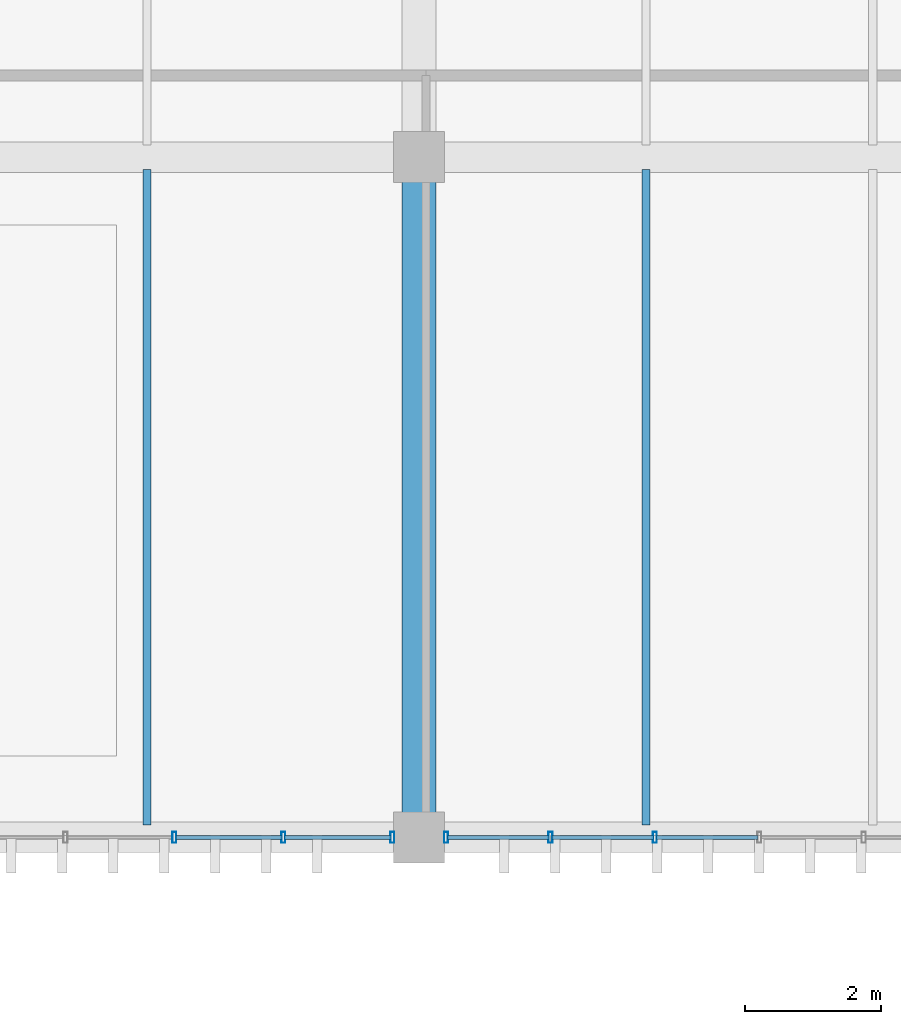
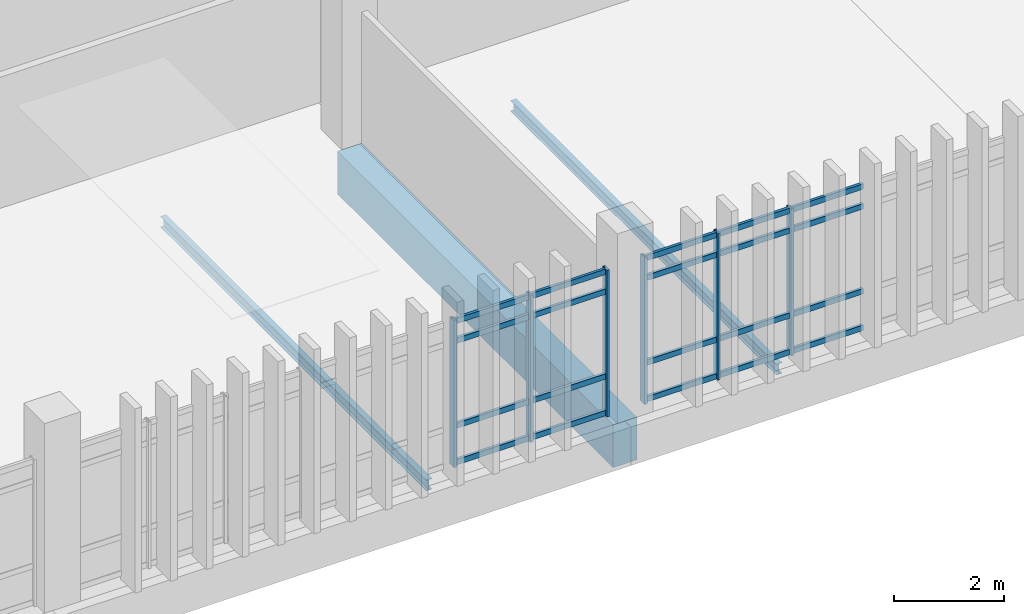
# One storey, part 38 of 111: 26 members, 3 beams, 2 elements without a shape of their own.
"""IFC4 building model written with IfcOpenShell, lengths in metres."""

import ifcopenshell
import ifcopenshell.guid

model = None  # the IFC model being written
_history = None  # IfcOwnerHistory: only IFC2X3 demands one
_inside = {}  # id of a spatial element -> (the spatial element, [elements in it])
_under = {}  # id of a project, library or spatial element -> (it, [spatial elements below it])
_declared = {}  # id of a project -> (the project, [libraries it declares])
_typed = {}  # id of a type object -> (the type object, [elements of that type])
_made_of = {}  # id of a material, layer set ... -> (it, [elements and type objects made of it])


def new_model(schema):
    """Start an empty IFC model of exactly this schema.

    Asked for "IFC4X3", IfcOpenShell would pick the latest addendum, in which some entities
    have other attributes; the version numbers below select the first issue.
    IFC2X3 requires an IfcOwnerHistory on every rooted entity: one is made here for all.
    """
    global model, _history
    if schema == "IFC4X3":
        model = ifcopenshell.file(schema_version=(4, 3, 0, 0))
    else:
        model = ifcopenshell.file(schema=schema)
    _inside.clear()
    _under.clear()
    _declared.clear()
    _typed.clear()
    _made_of.clear()
    _history = None
    if model.schema == "IFC2X3":
        org = make("IfcOrganization", Name="unknown")
        user = make(
            "IfcPersonAndOrganization",
            ThePerson=make("IfcPerson", FamilyName="unknown"),
            TheOrganization=org,
        )
        app = make(
            "IfcApplication",
            ApplicationDeveloper=org,
            Version="unknown",
            ApplicationFullName="unknown",
            ApplicationIdentifier="unknown",
        )
        _history = make(
            "IfcOwnerHistory",
            OwningUser=user,
            OwningApplication=app,
            ChangeAction="ADDED",
            CreationDate=0,
        )
    return model


def make(cls, **values):
    """One entity of the class cls with the attributes given. An attribute that is None is left unset."""
    return model.create_entity(
        cls, **{name: value for name, value in values.items() if value is not None}
    )


def rooted(cls, **values):
    """An entity with a GlobalId (a new one), such as an element, a storey or a relation."""
    return make(cls, GlobalId=ifcopenshell.guid.new(), OwnerHistory=_history, **values)


def si_unit(unit_type, name, prefix=None):
    """IfcSIUnit, for example si_unit("LENGTHUNIT", "METRE", prefix="MILLI")."""
    return make("IfcSIUnit", UnitType=unit_type, Prefix=prefix, Name=name)


def assignment(units):
    """IfcUnitAssignment: the units of a project."""
    return None if units is None else make("IfcUnitAssignment", Units=units)


def point(xyz):
    """IfcCartesianPoint."""
    return None if xyz is None else make("IfcCartesianPoint", Coordinates=xyz)


def direction(xyz):
    """IfcDirection."""
    return None if xyz is None else make("IfcDirection", DirectionRatios=xyz)


def frame(location, z_axis=None, x_axis=None):
    """IfcAxis2Placement3D, a coordinate frame: its origin and axes. An axis left out is left unset."""
    return make(
        "IfcAxis2Placement3D",
        Location=point(location),
        Axis=direction(z_axis),
        RefDirection=direction(x_axis),
    )


def frame_2d(location, x_axis=None):
    """IfcAxis2Placement2D, a coordinate frame in the plane: its origin and x axis."""
    return make(
        "IfcAxis2Placement2D", Location=point(location), RefDirection=direction(x_axis)
    )


def origin():
    """The frame at (0, 0, 0) with its axes left unset."""
    return frame((0.0, 0.0, 0.0))


def origin_2d():
    """The frame at (0, 0) in the plane with its x axis left unset."""
    return frame_2d((0.0, 0.0))


def place(relative_to, where):
    """IfcLocalPlacement: puts the frame where relative to a parent placement (None: the world)."""
    return make(
        "IfcLocalPlacement", PlacementRelTo=relative_to, RelativePlacement=where
    )


def context(
    kind, dimensions, precision=None, world=None, true_north=None, identifier=None
):
    """IfcGeometricRepresentationContext, for example the 3D "Model" context."""
    return make(
        "IfcGeometricRepresentationContext",
        ContextIdentifier=identifier,
        ContextType=kind,
        CoordinateSpaceDimension=dimensions,
        Precision=precision,
        WorldCoordinateSystem=world,
        TrueNorth=true_north,
    )


def subcontext(parent, identifier, kind, view, scale=None):
    """IfcGeometricRepresentationSubContext, for example "Body" below "Model"."""
    return make(
        "IfcGeometricRepresentationSubContext",
        ContextIdentifier=identifier,
        ContextType=kind,
        ParentContext=parent,
        TargetScale=scale,
        TargetView=view,
    )


def project(units=None, contexts=None):
    """IfcProject with its units and contexts."""
    return rooted(
        "IfcProject",
        Name="project",
        RepresentationContexts=contexts,
        UnitsInContext=assignment(units),
    )


def spatial(cls, under=None, at=None, **own):
    """A site, building, storey or space (cls), placed at a placement, below another one or the project."""
    s = rooted(cls, ObjectPlacement=at, **own)
    if under is not None:
        _under.setdefault(under.id(), (under, []))[1].append(s)
    return s


def profile(cls, at=None, kind="AREA", **sizes):
    """A parametric profile (cls). Its sizes go by their IFC names, for example OverallWidth=200.0."""
    return make(cls, ProfileType=kind, Position=at, **sizes)


def rectangle(**sizes):
    """IfcRectangleProfileDef."""
    return profile("IfcRectangleProfileDef", **sizes)


def hollow_rectangle(**sizes):
    """IfcRectangleHollowProfileDef."""
    return profile("IfcRectangleHollowProfileDef", **sizes)


def i_section(**sizes):
    """IfcIShapeProfileDef."""
    return profile("IfcIShapeProfileDef", **sizes)


def extrude(swept, where, along, depth):
    """IfcExtrudedAreaSolid: the profile swept, set in the frame where, extruded along a direction by depth."""
    return make(
        "IfcExtrudedAreaSolid",
        SweptArea=swept,
        Position=where,
        ExtrudedDirection=direction(along),
        Depth=depth,
    )


def shape(context_of_items, identifier, shape_type, items):
    """IfcShapeRepresentation: the items that make up one representation, for example the "Body"."""
    return make(
        "IfcShapeRepresentation",
        ContextOfItems=context_of_items,
        RepresentationIdentifier=identifier,
        RepresentationType=shape_type,
        Items=items,
    )


def material(Name=None, Category=None):
    """IfcMaterial."""
    return make("IfcMaterial", Name=Name, Category=Category)


def layer(
    of_material, thickness, ventilated=None, Name=None, Category=None, Priority=None
):
    """IfcMaterialLayer: one layer of a wall or slab, of a material (None: an air gap)."""
    return make(
        "IfcMaterialLayer",
        Material=of_material,
        LayerThickness=thickness,
        IsVentilated=ventilated,
        Name=Name,
        Category=Category,
        Priority=Priority,
    )


def layer_set(layers, Name=None):
    """IfcMaterialLayerSet."""
    return make("IfcMaterialLayerSet", MaterialLayers=layers, LayerSetName=Name)


def material_profile(
    of_material, cross_section, Name=None, Category=None, Priority=None
):
    """IfcMaterialProfile: a cross section and its material."""
    return make(
        "IfcMaterialProfile",
        Name=Name,
        Material=of_material,
        Profile=cross_section,
        Priority=Priority,
        Category=Category,
    )


def profile_set(profiles, Name=None, composite=None):
    """IfcMaterialProfileSet."""
    return make(
        "IfcMaterialProfileSet",
        Name=Name,
        MaterialProfiles=profiles,
        CompositeProfile=composite,
    )


def made_of(thing, what):
    """Note that an element or type object is made of a material, layer set ...; save() writes the relation."""
    if what is not None:
        _made_of.setdefault(what.id(), (what, []))[1].append(thing)
    return thing


def type_object(cls, material=None, **own):
    """A type object (cls), such as IfcWallType, which elements share."""
    return made_of(rooted(cls, **own), material)


def element(
    cls,
    number,
    at=None,
    inside=None,
    cuts=None,
    type_object=None,
    material=None,
    context=None,
    identifier="Body",
    shape_type=None,
    held_by="IfcProductDefinitionShape",
    body=None,
    shapes=None,
    **own,
):
    """One element of the class cls, such as IfcWall. Its Tag is "e" and its number.

    at: its placement. inside: the storey or other place that contains it. cuts: it is an
    opening in that element (IfcRelVoidsElement). A single representation is given by context,
    identifier, shape_type and body (its items); several are given by shapes. held_by: the class
    of the entity that holds the representations. save() writes the other relations.
    """
    e = rooted(cls, Tag="e%d" % number, ObjectPlacement=at, **own)
    if body is not None:
        shapes = [shape(context, identifier, shape_type, body)]
    if shapes is not None:
        e.Representation = make(held_by, Representations=shapes)
    if inside is not None:
        _inside.setdefault(inside.id(), (inside, []))[1].append(e)
    if cuts is not None:
        rooted(
            "IfcRelVoidsElement", RelatingBuildingElement=cuts, RelatedOpeningElement=e
        )
    if type_object is not None:
        _typed.setdefault(type_object.id(), (type_object, []))[1].append(e)
    return made_of(e, material)


def aggregate(whole, parts):
    """IfcRelAggregates: a whole, such as a stair, and the parts it consists of."""
    return rooted("IfcRelAggregates", RelatingObject=whole, RelatedObjects=parts)


def save(model, path):
    """Write the relations noted so far, then the file.

    IfcRelAggregates (storeys below a building ...), IfcRelContainedInSpatialStructure (elements
    in a storey), IfcRelDefinesByType, IfcRelAssociatesMaterial and IfcRelDeclares: one each for
    every whole, place, type object, material and project.
    """
    for whole, parts in _under.values():
        aggregate(whole, parts)
    for where, things in _inside.values():
        rooted(
            "IfcRelContainedInSpatialStructure",
            RelatedElements=things,
            RelatingStructure=where,
        )
    for kind, things in _typed.values():
        rooted("IfcRelDefinesByType", RelatedObjects=things, RelatingType=kind)
    for what, things in _made_of.values():
        rooted("IfcRelAssociatesMaterial", RelatedObjects=things, RelatingMaterial=what)
    for by, libraries in _declared.values():
        rooted("IfcRelDeclares", RelatingContext=by, RelatedDefinitions=libraries)
    model.write(path)


model = new_model("IFC4")

# Units and contexts
model_context = context("Model", 3, precision=1e-05, world=origin(), true_north=direction((0.0, 1.0)))
body_context = subcontext(model_context, "Body", "Model", "MODEL_VIEW")
ifc_project = project(units=[si_unit("LENGTHUNIT", "METRE"), si_unit("AREAUNIT", "SQUARE_METRE"), si_unit("VOLUMEUNIT", "CUBIC_METRE"), si_unit("PLANEANGLEUNIT", "RADIAN"), si_unit("MASSUNIT", "GRAM", prefix="KILO")], contexts=[model_context])

# Site, building, storey
site_placement = place(None, origin())
site = spatial("IfcSite", under=ifc_project, at=site_placement, CompositionType="ELEMENT")
building_placement = place(site_placement, origin())
building = spatial("IfcBuilding", under=site, at=building_placement, Name="Mersad Railyard Sports Hall", CompositionType="ELEMENT")
storey_placement = place(building_placement, frame((0.0, 0.0, 9.0)))
storey = spatial("IfcBuildingStorey", under=building, at=storey_placement, Name="L02", CompositionType="ELEMENT", Elevation=9.0)

# Curtain wall, members
ifc_material_1 = material(Name="Aluminium 6063-T6", Category="aluminium")
ifc_layer_1 = layer(ifc_material_1, 0.159912109375)
ifc_layer_set_1 = layer_set([ifc_layer_1], Name="Aluminium 6063-T6")
curtain_wall_type_1 = type_object("IfcCurtainWallType", Name="ARC-CW-CW54", PredefinedType="USERDEFINED", material=ifc_layer_set_1)
curtain_wall_1_placement = place(storey_placement, origin())
curtain_wall_1 = element("IfcCurtainWall", 1, at=curtain_wall_1_placement, inside=storey, type_object=curtain_wall_type_1, Name="Curtain wall CW54-0146", ObjectType="CURTAIN WALL", PredefinedType="USERDEFINED")
ifc_material_profile_1 = material_profile(ifc_material_1, hollow_rectangle(XDim=0.06005859375, YDim=0.159912109375, WallThickness=0.00390625, at=origin_2d()), Name="AL MULLION 60x160x4")
ifc_profile_set_1 = profile_set([ifc_material_profile_1], Name="Aluminium 6063-T6")
member_type_1 = type_object("IfcMemberType", Name="ARC-CW-MUL01", PredefinedType="MULLION", material=ifc_profile_set_1)
member_1_placement = place(storey_placement, frame((90.60498046875, 85.0, -0.02001953125), z_axis=(0.0, 0.0, 1.0), x_axis=(1.0, 0.0, 0.0)))
member_1 = element("IfcMember", 2, at=member_1_placement, type_object=member_type_1, Name="CW54 Mullion 1", PredefinedType="MULLION", context=body_context, shape_type="SweptSolid", body=[
    extrude(hollow_rectangle(XDim=0.06005859375, YDim=0.159912109375, WallThickness=0.00390625, at=origin_2d()), origin(), (0.0, 0.0, 1.0), 3.25),
])
member_2_placement = place(storey_placement, frame((89.003662109375, 85.0, -0.02001953125), z_axis=(0.0, 0.0, 1.0), x_axis=(1.0, 0.0, 0.0)))
member_2 = element("IfcMember", 3, at=member_2_placement, type_object=member_type_1, Name="CW54 Mullion 2", PredefinedType="MULLION", context=body_context, shape_type="SweptSolid", body=[
    extrude(hollow_rectangle(XDim=0.06005859375, YDim=0.159912109375, WallThickness=0.00390625, at=origin_2d()), origin(), (0.0, 0.0, 1.0), 3.25),
])
member_3_placement = place(storey_placement, frame((87.402099609375, 85.0, -0.02001953125), z_axis=(0.0, 0.0, 1.0), x_axis=(1.0, 0.0, 0.0)))
member_3 = element("IfcMember", 4, at=member_3_placement, type_object=member_type_1, Name="CW54 Mullion 3", PredefinedType="MULLION", context=body_context, shape_type="SweptSolid", body=[
    extrude(hollow_rectangle(XDim=0.06005859375, YDim=0.159912109375, WallThickness=0.00390625, at=origin_2d()), origin(), (0.0, 0.0, 1.0), 3.25),
])

ifc_layer_2 = layer(ifc_material_1, 0.159912109375)
ifc_layer_set_2 = layer_set([ifc_layer_2], Name="Aluminium 6063-T6")
curtain_wall_type_2 = type_object("IfcCurtainWallType", Name="ARC-CW-CW55", PredefinedType="USERDEFINED", material=ifc_layer_set_2)
curtain_wall_2_placement = place(storey_placement, origin())
curtain_wall_2 = element("IfcCurtainWall", 5, at=curtain_wall_2_placement, inside=storey, type_object=curtain_wall_type_2, Name="Curtain wall CW55-0147", ObjectType="CURTAIN WALL", PredefinedType="USERDEFINED")
member_4_placement = place(storey_placement, frame((94.465087890625, 85.0, -0.02001953125), z_axis=(0.0, 0.0, 1.0), x_axis=(1.0, 0.0, 0.0)))
member_4 = element("IfcMember", 6, at=member_4_placement, type_object=member_type_1, Name="CW55 Mullion 5", PredefinedType="MULLION", context=body_context, shape_type="SweptSolid", body=[
    extrude(hollow_rectangle(XDim=0.06005859375, YDim=0.159912109375, WallThickness=0.00390625, at=origin_2d()), origin(), (0.0, 0.0, 1.0), 3.25),
])
member_5_placement = place(storey_placement, frame((92.929931640625, 85.0, -0.02001953125), z_axis=(0.0, 0.0, 1.0), x_axis=(1.0, 0.0, 0.0)))
member_5 = element("IfcMember", 7, at=member_5_placement, type_object=member_type_1, Name="CW55 Mullion 6", PredefinedType="MULLION", context=body_context, shape_type="SweptSolid", body=[
    extrude(hollow_rectangle(XDim=0.06005859375, YDim=0.159912109375, WallThickness=0.00390625, at=origin_2d()), origin(), (0.0, 0.0, 1.0), 3.25),
])
member_6_placement = place(storey_placement, frame((91.39501953125, 85.0, -0.02001953125), z_axis=(0.0, 0.0, 1.0), x_axis=(1.0, 0.0, 0.0)))
member_6 = element("IfcMember", 8, at=member_6_placement, type_object=member_type_1, Name="CW55 Mullion 7", PredefinedType="MULLION", context=body_context, shape_type="SweptSolid", body=[
    extrude(hollow_rectangle(XDim=0.06005859375, YDim=0.159912109375, WallThickness=0.00390625, at=origin_2d()), origin(), (0.0, 0.0, 1.0), 3.25),
])

# Member
ifc_material_profile_2 = material_profile(ifc_material_1, hollow_rectangle(XDim=0.06005859375, YDim=0.1201171875, WallThickness=0.00390625, at=origin_2d()), Name="AL TRANSOM 60x120x4")
ifc_profile_set_2 = profile_set([ifc_material_profile_2], Name="Aluminium 6063-T6")
member_type_2 = type_object("IfcMemberType", Name="ARC-CW-TRN01", PredefinedType="USERDEFINED", material=ifc_profile_set_2)
member_7_placement = place(storey_placement, frame((90.5849609375, 85.0, 0.0400390625), z_axis=(-1.0, 0.0, 0.0), x_axis=(0.0, -1.0, 0.0)))
member_7 = element("IfcMember", 9, at=member_7_placement, type_object=member_type_2, Name="CW54 Transom 1-1", ObjectType="TRANSOM", PredefinedType="USERDEFINED", context=body_context, shape_type="SweptSolid", body=[
    extrude(hollow_rectangle(XDim=0.06005859375, YDim=0.1201171875, WallThickness=0.00390625, at=origin_2d()), origin(), (0.0, 0.0, 1.0), 1.561279296875),
])

member_8_placement = place(storey_placement, frame((88.983642578125, 85.0, 0.0400390625), z_axis=(-1.0, 0.0, 0.0), x_axis=(0.0, -1.0, 0.0)))
member_8 = element("IfcMember", 10, at=member_8_placement, type_object=member_type_2, Name="CW54 Transom 1-2", ObjectType="TRANSOM", PredefinedType="USERDEFINED", context=body_context, shape_type="SweptSolid", body=[
    extrude(hollow_rectangle(XDim=0.06005859375, YDim=0.1201171875, WallThickness=0.00390625, at=origin_2d()), origin(), (0.0, 0.0, 1.0), 1.5615234375),
])

member_9_placement = place(storey_placement, frame((90.5849609375, 85.0, 0.85009765625), z_axis=(-1.0, 0.0, 0.0), x_axis=(0.0, -1.0, 0.0)))
member_9 = element("IfcMember", 11, at=member_9_placement, type_object=member_type_2, Name="CW54 Transom 2-1", ObjectType="TRANSOM", PredefinedType="USERDEFINED", context=body_context, shape_type="SweptSolid", body=[
    extrude(hollow_rectangle(XDim=0.06005859375, YDim=0.1201171875, WallThickness=0.00390625, at=origin_2d()), origin(), (0.0, 0.0, 1.0), 1.561279296875),
])

member_10_placement = place(storey_placement, frame((88.983642578125, 85.0, 0.85009765625), z_axis=(-1.0, 0.0, 0.0), x_axis=(0.0, -1.0, 0.0)))
member_10 = element("IfcMember", 12, at=member_10_placement, type_object=member_type_2, Name="CW54 Transom 2-2", ObjectType="TRANSOM", PredefinedType="USERDEFINED", context=body_context, shape_type="SweptSolid", body=[
    extrude(hollow_rectangle(XDim=0.06005859375, YDim=0.1201171875, WallThickness=0.00390625, at=origin_2d()), origin(), (0.0, 0.0, 1.0), 1.5615234375),
])

member_11_placement = place(storey_placement, frame((90.5849609375, 85.0, 2.72998046875), z_axis=(-1.0, 0.0, 0.0), x_axis=(0.0, -1.0, 0.0)))
member_11 = element("IfcMember", 13, at=member_11_placement, type_object=member_type_2, Name="CW54 Transom 3-1", ObjectType="TRANSOM", PredefinedType="USERDEFINED", context=body_context, shape_type="SweptSolid", body=[
    extrude(hollow_rectangle(XDim=0.06005859375, YDim=0.1201171875, WallThickness=0.00390625, at=origin_2d()), origin(), (0.0, 0.0, 1.0), 1.561279296875),
])

member_12_placement = place(storey_placement, frame((88.983642578125, 85.0, 2.72998046875), z_axis=(-1.0, 0.0, 0.0), x_axis=(0.0, -1.0, 0.0)))
member_12 = element("IfcMember", 14, at=member_12_placement, type_object=member_type_2, Name="CW54 Transom 3-2", ObjectType="TRANSOM", PredefinedType="USERDEFINED", context=body_context, shape_type="SweptSolid", body=[
    extrude(hollow_rectangle(XDim=0.06005859375, YDim=0.1201171875, WallThickness=0.00390625, at=origin_2d()), origin(), (0.0, 0.0, 1.0), 1.5615234375),
])

member_13_placement = place(storey_placement, frame((90.5849609375, 85.0, 3.169921875), z_axis=(-1.0, 0.0, 0.0), x_axis=(0.0, -1.0, 0.0)))
member_13 = element("IfcMember", 15, at=member_13_placement, type_object=member_type_2, Name="CW54 Transom 4-1", ObjectType="TRANSOM", PredefinedType="USERDEFINED", context=body_context, shape_type="SweptSolid", body=[
    extrude(hollow_rectangle(XDim=0.06005859375, YDim=0.1201171875, WallThickness=0.00390625, at=origin_2d()), origin(), (0.0, 0.0, 1.0), 1.561279296875),
])

member_14_placement = place(storey_placement, frame((88.983642578125, 85.0, 3.169921875), z_axis=(-1.0, 0.0, 0.0), x_axis=(0.0, -1.0, 0.0)))
member_14 = element("IfcMember", 16, at=member_14_placement, type_object=member_type_2, Name="CW54 Transom 4-2", ObjectType="TRANSOM", PredefinedType="USERDEFINED", context=body_context, shape_type="SweptSolid", body=[
    extrude(hollow_rectangle(XDim=0.06005859375, YDim=0.1201171875, WallThickness=0.00390625, at=origin_2d()), origin(), (0.0, 0.0, 1.0), 1.5615234375),
])

aggregate(curtain_wall_1, [member_1, member_2, member_3, member_7, member_8, member_9, member_10, member_11, member_12, member_13, member_14])

member_15_placement = place(storey_placement, frame((95.97998046875, 85.0, 0.0400390625), z_axis=(-1.0, 0.0, 0.0), x_axis=(0.0, -1.0, 0.0)))
member_15 = element("IfcMember", 17, at=member_15_placement, type_object=member_type_2, Name="CW55 Transom 1-4", ObjectType="TRANSOM", PredefinedType="USERDEFINED", context=body_context, shape_type="SweptSolid", body=[
    extrude(hollow_rectangle(XDim=0.06005859375, YDim=0.1201171875, WallThickness=0.00390625, at=origin_2d()), origin(), (0.0, 0.0, 1.0), 1.494873046875),
])

member_16_placement = place(storey_placement, frame((94.445068359375, 85.0, 0.0400390625), z_axis=(-1.0, 0.0, 0.0), x_axis=(0.0, -1.0, 0.0)))
member_16 = element("IfcMember", 18, at=member_16_placement, type_object=member_type_2, Name="CW55 Transom 1-5", ObjectType="TRANSOM", PredefinedType="USERDEFINED", context=body_context, shape_type="SweptSolid", body=[
    extrude(hollow_rectangle(XDim=0.06005859375, YDim=0.1201171875, WallThickness=0.00390625, at=origin_2d()), origin(), (0.0, 0.0, 1.0), 1.4951171875),
])

member_17_placement = place(storey_placement, frame((92.909912109375, 85.0, 0.0400390625), z_axis=(-1.0, 0.0, 0.0), x_axis=(0.0, -1.0, 0.0)))
member_17 = element("IfcMember", 19, at=member_17_placement, type_object=member_type_2, Name="CW55 Transom 1-6", ObjectType="TRANSOM", PredefinedType="USERDEFINED", context=body_context, shape_type="SweptSolid", body=[
    extrude(hollow_rectangle(XDim=0.06005859375, YDim=0.1201171875, WallThickness=0.00390625, at=origin_2d()), origin(), (0.0, 0.0, 1.0), 1.494873046875),
])

member_18_placement = place(storey_placement, frame((95.97998046875, 85.0, 0.85009765625), z_axis=(-1.0, 0.0, 0.0), x_axis=(0.0, -1.0, 0.0)))
member_18 = element("IfcMember", 20, at=member_18_placement, type_object=member_type_2, Name="CW55 Transom 2-4", ObjectType="TRANSOM", PredefinedType="USERDEFINED", context=body_context, shape_type="SweptSolid", body=[
    extrude(hollow_rectangle(XDim=0.06005859375, YDim=0.1201171875, WallThickness=0.00390625, at=origin_2d()), origin(), (0.0, 0.0, 1.0), 1.494873046875),
])

member_19_placement = place(storey_placement, frame((94.445068359375, 85.0, 0.85009765625), z_axis=(-1.0, 0.0, 0.0), x_axis=(0.0, -1.0, 0.0)))
member_19 = element("IfcMember", 21, at=member_19_placement, type_object=member_type_2, Name="CW55 Transom 2-5", ObjectType="TRANSOM", PredefinedType="USERDEFINED", context=body_context, shape_type="SweptSolid", body=[
    extrude(hollow_rectangle(XDim=0.06005859375, YDim=0.1201171875, WallThickness=0.00390625, at=origin_2d()), origin(), (0.0, 0.0, 1.0), 1.4951171875),
])

member_20_placement = place(storey_placement, frame((92.909912109375, 85.0, 0.85009765625), z_axis=(-1.0, 0.0, 0.0), x_axis=(0.0, -1.0, 0.0)))
member_20 = element("IfcMember", 22, at=member_20_placement, type_object=member_type_2, Name="CW55 Transom 2-6", ObjectType="TRANSOM", PredefinedType="USERDEFINED", context=body_context, shape_type="SweptSolid", body=[
    extrude(hollow_rectangle(XDim=0.06005859375, YDim=0.1201171875, WallThickness=0.00390625, at=origin_2d()), origin(), (0.0, 0.0, 1.0), 1.494873046875),
])

member_21_placement = place(storey_placement, frame((95.97998046875, 85.0, 2.72998046875), z_axis=(-1.0, 0.0, 0.0), x_axis=(0.0, -1.0, 0.0)))
member_21 = element("IfcMember", 23, at=member_21_placement, type_object=member_type_2, Name="CW55 Transom 3-4", ObjectType="TRANSOM", PredefinedType="USERDEFINED", context=body_context, shape_type="SweptSolid", body=[
    extrude(hollow_rectangle(XDim=0.06005859375, YDim=0.1201171875, WallThickness=0.00390625, at=origin_2d()), origin(), (0.0, 0.0, 1.0), 1.494873046875),
])

member_22_placement = place(storey_placement, frame((94.445068359375, 85.0, 2.72998046875), z_axis=(-1.0, 0.0, 0.0), x_axis=(0.0, -1.0, 0.0)))
member_22 = element("IfcMember", 24, at=member_22_placement, type_object=member_type_2, Name="CW55 Transom 3-5", ObjectType="TRANSOM", PredefinedType="USERDEFINED", context=body_context, shape_type="SweptSolid", body=[
    extrude(hollow_rectangle(XDim=0.06005859375, YDim=0.1201171875, WallThickness=0.00390625, at=origin_2d()), origin(), (0.0, 0.0, 1.0), 1.4951171875),
])

member_23_placement = place(storey_placement, frame((92.909912109375, 85.0, 2.72998046875), z_axis=(-1.0, 0.0, 0.0), x_axis=(0.0, -1.0, 0.0)))
member_23 = element("IfcMember", 25, at=member_23_placement, type_object=member_type_2, Name="CW55 Transom 3-6", ObjectType="TRANSOM", PredefinedType="USERDEFINED", context=body_context, shape_type="SweptSolid", body=[
    extrude(hollow_rectangle(XDim=0.06005859375, YDim=0.1201171875, WallThickness=0.00390625, at=origin_2d()), origin(), (0.0, 0.0, 1.0), 1.494873046875),
])

member_24_placement = place(storey_placement, frame((95.97998046875, 85.0, 3.169921875), z_axis=(-1.0, 0.0, 0.0), x_axis=(0.0, -1.0, 0.0)))
member_24 = element("IfcMember", 26, at=member_24_placement, type_object=member_type_2, Name="CW55 Transom 4-4", ObjectType="TRANSOM", PredefinedType="USERDEFINED", context=body_context, shape_type="SweptSolid", body=[
    extrude(hollow_rectangle(XDim=0.06005859375, YDim=0.1201171875, WallThickness=0.00390625, at=origin_2d()), origin(), (0.0, 0.0, 1.0), 1.494873046875),
])

member_25_placement = place(storey_placement, frame((94.445068359375, 85.0, 3.169921875), z_axis=(-1.0, 0.0, 0.0), x_axis=(0.0, -1.0, 0.0)))
member_25 = element("IfcMember", 27, at=member_25_placement, type_object=member_type_2, Name="CW55 Transom 4-5", ObjectType="TRANSOM", PredefinedType="USERDEFINED", context=body_context, shape_type="SweptSolid", body=[
    extrude(hollow_rectangle(XDim=0.06005859375, YDim=0.1201171875, WallThickness=0.00390625, at=origin_2d()), origin(), (0.0, 0.0, 1.0), 1.4951171875),
])

member_26_placement = place(storey_placement, frame((92.909912109375, 85.0, 3.169921875), z_axis=(-1.0, 0.0, 0.0), x_axis=(0.0, -1.0, 0.0)))
member_26 = element("IfcMember", 28, at=member_26_placement, type_object=member_type_2, Name="CW55 Transom 4-6", ObjectType="TRANSOM", PredefinedType="USERDEFINED", context=body_context, shape_type="SweptSolid", body=[
    extrude(hollow_rectangle(XDim=0.06005859375, YDim=0.1201171875, WallThickness=0.00390625, at=origin_2d()), origin(), (0.0, 0.0, 1.0), 1.494873046875),
])

aggregate(curtain_wall_2, [member_4, member_5, member_6, member_15, member_16, member_17, member_18, member_19, member_20, member_21, member_22, member_23, member_24, member_25, member_26])

# Beams
ifc_material_2 = material(Name="Concrete C50/60", Category="concrete")
ifc_material_profile_3 = material_profile(ifc_material_2, rectangle(XDim=0.5, YDim=0.949951171875, at=origin_2d()), Name="RC 500x950")
ifc_profile_set_3 = profile_set([ifc_material_profile_3], Name="Concrete C50/60")
beam_type_1 = type_object("IfcBeamType", Name="STR-BM-B03", PredefinedType="BEAM", material=ifc_profile_set_3)
beam_placement = place(storey_placement, frame((91.0, 85.0, -0.77490234375), z_axis=(0.0, 1.0, 0.0), x_axis=(-1.0, 0.0, 0.0)))
element("IfcBeam", 29, at=beam_placement, inside=storey, type_object=beam_type_1, Name="Beam B03-1109", PredefinedType="BEAM", context=body_context, shape_type="SweptSolid", body=[
    extrude(rectangle(XDim=0.5, YDim=0.949951171875, at=origin_2d()), origin(), (0.0, 0.0, 1.0), 10.0),
])
ifc_material_3 = material(Name="Steel S355", Category="steel")
ifc_material_profile_4 = material_profile(ifc_material_3, i_section(OverallWidth=0.1201171875, OverallDepth=0.239990234375, WebThickness=0.006103515625, FlangeThickness=0.009765625, at=origin_2d()), Name="IPE 240")
ifc_profile_set_4 = profile_set([ifc_material_profile_4], Name="Steel S355")
beam_type_2 = type_object("IfcBeamType", Name="STR-BM-SB03", PredefinedType="BEAM", material=ifc_profile_set_4)
for number, where, z_axis, x_axis, name in (
    (30, (87.0, 85.179931640625, -0.419921875), (0.0, 1.0, 0.0), (-1.0, 0.0, 0.0), "Beam SB03-1167"),
    (31, (94.3330078125, 85.179931640625, -0.419921875), (0.0, 1.0, 0.0), (-1.0, 0.0, 0.0), "Beam SB03-1172"),
):
    element("IfcBeam", number, at=place(storey_placement, frame(where, z_axis=z_axis, x_axis=x_axis)), inside=storey, type_object=beam_type_2, Name=name, PredefinedType="BEAM", context=body_context, shape_type="SweptSolid", body=[
        extrude(i_section(OverallWidth=0.1201171875, OverallDepth=0.239990234375, WebThickness=0.006103515625, FlangeThickness=0.009765625, at=origin_2d()), origin(), (0.0, 0.0, 1.0), 9.64013671875),
    ])

save(model, "model.ifc")
